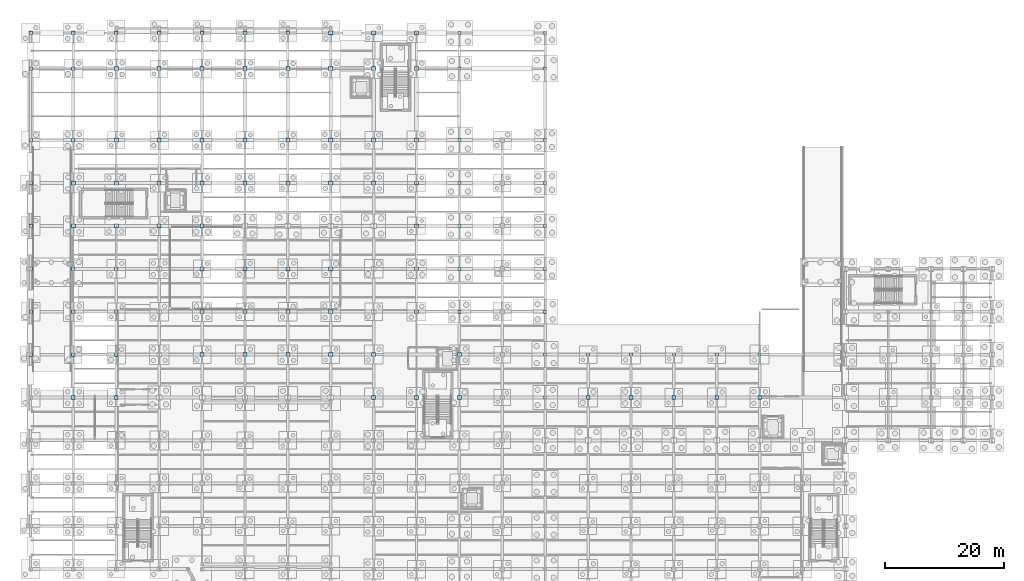
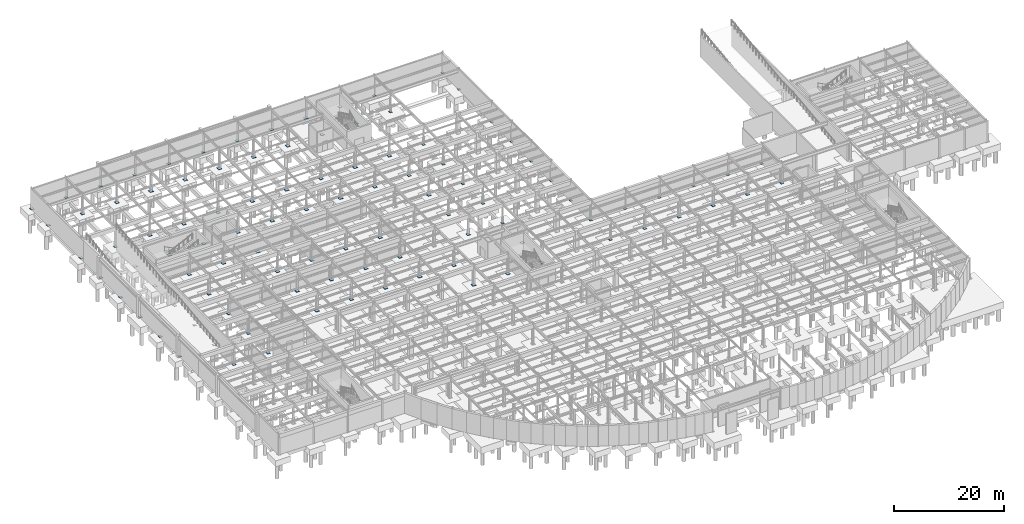
# One storey, part 43 of 64: 102 plates.
"""IFC4 building model written with IfcOpenShell, lengths in metres."""

import ifcopenshell
import ifcopenshell.guid

model = None  # the IFC model being written
_history = None  # IfcOwnerHistory: only IFC2X3 demands one
_inside = {}  # id of a spatial element -> (the spatial element, [elements in it])
_under = {}  # id of a project, library or spatial element -> (it, [spatial elements below it])
_declared = {}  # id of a project -> (the project, [libraries it declares])
_typed = {}  # id of a type object -> (the type object, [elements of that type])
_made_of = {}  # id of a material, layer set ... -> (it, [elements and type objects made of it])


def new_model(schema):
    """Start an empty IFC model of exactly this schema.

    Asked for "IFC4X3", IfcOpenShell would pick the latest addendum, in which some entities
    have other attributes; the version numbers below select the first issue.
    IFC2X3 requires an IfcOwnerHistory on every rooted entity: one is made here for all.
    """
    global model, _history
    if schema == "IFC4X3":
        model = ifcopenshell.file(schema_version=(4, 3, 0, 0))
    else:
        model = ifcopenshell.file(schema=schema)
    _inside.clear()
    _under.clear()
    _declared.clear()
    _typed.clear()
    _made_of.clear()
    _history = None
    if model.schema == "IFC2X3":
        org = make("IfcOrganization", Name="unknown")
        user = make(
            "IfcPersonAndOrganization",
            ThePerson=make("IfcPerson", FamilyName="unknown"),
            TheOrganization=org,
        )
        app = make(
            "IfcApplication",
            ApplicationDeveloper=org,
            Version="unknown",
            ApplicationFullName="unknown",
            ApplicationIdentifier="unknown",
        )
        _history = make(
            "IfcOwnerHistory",
            OwningUser=user,
            OwningApplication=app,
            ChangeAction="ADDED",
            CreationDate=0,
        )
    return model


def make(cls, **values):
    """One entity of the class cls with the attributes given. An attribute that is None is left unset."""
    return model.create_entity(
        cls, **{name: value for name, value in values.items() if value is not None}
    )


def rooted(cls, **values):
    """An entity with a GlobalId (a new one), such as an element, a storey or a relation."""
    return make(cls, GlobalId=ifcopenshell.guid.new(), OwnerHistory=_history, **values)


def si_unit(unit_type, name, prefix=None):
    """IfcSIUnit, for example si_unit("LENGTHUNIT", "METRE", prefix="MILLI")."""
    return make("IfcSIUnit", UnitType=unit_type, Prefix=prefix, Name=name)


def assignment(units):
    """IfcUnitAssignment: the units of a project."""
    return None if units is None else make("IfcUnitAssignment", Units=units)


def point(xyz):
    """IfcCartesianPoint."""
    return None if xyz is None else make("IfcCartesianPoint", Coordinates=xyz)


def direction(xyz):
    """IfcDirection."""
    return None if xyz is None else make("IfcDirection", DirectionRatios=xyz)


def frame(location, z_axis=None, x_axis=None):
    """IfcAxis2Placement3D, a coordinate frame: its origin and axes. An axis left out is left unset."""
    return make(
        "IfcAxis2Placement3D",
        Location=point(location),
        Axis=direction(z_axis),
        RefDirection=direction(x_axis),
    )


def frame_2d(location, x_axis=None):
    """IfcAxis2Placement2D, a coordinate frame in the plane: its origin and x axis."""
    return make(
        "IfcAxis2Placement2D", Location=point(location), RefDirection=direction(x_axis)
    )


def origin():
    """The frame at (0, 0, 0) with its axes left unset."""
    return frame((0.0, 0.0, 0.0))


def origin_2d():
    """The frame at (0, 0) in the plane with its x axis left unset."""
    return frame_2d((0.0, 0.0))


def place(relative_to, where):
    """IfcLocalPlacement: puts the frame where relative to a parent placement (None: the world)."""
    return make(
        "IfcLocalPlacement", PlacementRelTo=relative_to, RelativePlacement=where
    )


def context(
    kind, dimensions, precision=None, world=None, true_north=None, identifier=None
):
    """IfcGeometricRepresentationContext, for example the 3D "Model" context."""
    return make(
        "IfcGeometricRepresentationContext",
        ContextIdentifier=identifier,
        ContextType=kind,
        CoordinateSpaceDimension=dimensions,
        Precision=precision,
        WorldCoordinateSystem=world,
        TrueNorth=true_north,
    )


def subcontext(parent, identifier, kind, view, scale=None):
    """IfcGeometricRepresentationSubContext, for example "Body" below "Model"."""
    return make(
        "IfcGeometricRepresentationSubContext",
        ContextIdentifier=identifier,
        ContextType=kind,
        ParentContext=parent,
        TargetScale=scale,
        TargetView=view,
    )


def project(units=None, contexts=None):
    """IfcProject with its units and contexts."""
    return rooted(
        "IfcProject",
        Name="project",
        RepresentationContexts=contexts,
        UnitsInContext=assignment(units),
    )


def spatial(cls, under=None, at=None, **own):
    """A site, building, storey or space (cls), placed at a placement, below another one or the project."""
    s = rooted(cls, ObjectPlacement=at, **own)
    if under is not None:
        _under.setdefault(under.id(), (under, []))[1].append(s)
    return s


def profile(cls, at=None, kind="AREA", **sizes):
    """A parametric profile (cls). Its sizes go by their IFC names, for example OverallWidth=200.0."""
    return make(cls, ProfileType=kind, Position=at, **sizes)


def rectangle(**sizes):
    """IfcRectangleProfileDef."""
    return profile("IfcRectangleProfileDef", **sizes)


def extrude(swept, where, along, depth):
    """IfcExtrudedAreaSolid: the profile swept, set in the frame where, extruded along a direction by depth."""
    return make(
        "IfcExtrudedAreaSolid",
        SweptArea=swept,
        Position=where,
        ExtrudedDirection=direction(along),
        Depth=depth,
    )


def shape(context_of_items, identifier, shape_type, items):
    """IfcShapeRepresentation: the items that make up one representation, for example the "Body"."""
    return make(
        "IfcShapeRepresentation",
        ContextOfItems=context_of_items,
        RepresentationIdentifier=identifier,
        RepresentationType=shape_type,
        Items=items,
    )


def material(Name=None, Category=None):
    """IfcMaterial."""
    return make("IfcMaterial", Name=Name, Category=Category)


def layer(
    of_material, thickness, ventilated=None, Name=None, Category=None, Priority=None
):
    """IfcMaterialLayer: one layer of a wall or slab, of a material (None: an air gap)."""
    return make(
        "IfcMaterialLayer",
        Material=of_material,
        LayerThickness=thickness,
        IsVentilated=ventilated,
        Name=Name,
        Category=Category,
        Priority=Priority,
    )


def layer_set(layers, Name=None):
    """IfcMaterialLayerSet."""
    return make("IfcMaterialLayerSet", MaterialLayers=layers, LayerSetName=Name)


def made_of(thing, what):
    """Note that an element or type object is made of a material, layer set ...; save() writes the relation."""
    if what is not None:
        _made_of.setdefault(what.id(), (what, []))[1].append(thing)
    return thing


def type_object(cls, material=None, **own):
    """A type object (cls), such as IfcWallType, which elements share."""
    return made_of(rooted(cls, **own), material)


def element(
    cls,
    number,
    at=None,
    inside=None,
    cuts=None,
    type_object=None,
    material=None,
    context=None,
    identifier="Body",
    shape_type=None,
    held_by="IfcProductDefinitionShape",
    body=None,
    shapes=None,
    **own,
):
    """One element of the class cls, such as IfcWall. Its Tag is "e" and its number.

    at: its placement. inside: the storey or other place that contains it. cuts: it is an
    opening in that element (IfcRelVoidsElement). A single representation is given by context,
    identifier, shape_type and body (its items); several are given by shapes. held_by: the class
    of the entity that holds the representations. save() writes the other relations.
    """
    e = rooted(cls, Tag="e%d" % number, ObjectPlacement=at, **own)
    if body is not None:
        shapes = [shape(context, identifier, shape_type, body)]
    if shapes is not None:
        e.Representation = make(held_by, Representations=shapes)
    if inside is not None:
        _inside.setdefault(inside.id(), (inside, []))[1].append(e)
    if cuts is not None:
        rooted(
            "IfcRelVoidsElement", RelatingBuildingElement=cuts, RelatedOpeningElement=e
        )
    if type_object is not None:
        _typed.setdefault(type_object.id(), (type_object, []))[1].append(e)
    return made_of(e, material)


def aggregate(whole, parts):
    """IfcRelAggregates: a whole, such as a stair, and the parts it consists of."""
    return rooted("IfcRelAggregates", RelatingObject=whole, RelatedObjects=parts)


def save(model, path):
    """Write the relations noted so far, then the file.

    IfcRelAggregates (storeys below a building ...), IfcRelContainedInSpatialStructure (elements
    in a storey), IfcRelDefinesByType, IfcRelAssociatesMaterial and IfcRelDeclares: one each for
    every whole, place, type object, material and project.
    """
    for whole, parts in _under.values():
        aggregate(whole, parts)
    for where, things in _inside.values():
        rooted(
            "IfcRelContainedInSpatialStructure",
            RelatedElements=things,
            RelatingStructure=where,
        )
    for kind, things in _typed.values():
        rooted("IfcRelDefinesByType", RelatedObjects=things, RelatingType=kind)
    for what, things in _made_of.values():
        rooted("IfcRelAssociatesMaterial", RelatedObjects=things, RelatingMaterial=what)
    for by, libraries in _declared.values():
        rooted("IfcRelDeclares", RelatingContext=by, RelatedDefinitions=libraries)
    model.write(path)


model = new_model("IFC4")

# Units and contexts
model_context = context("Model", 3, precision=1e-05, world=origin(), true_north=direction((0.0, 1.0)))
body_context = subcontext(model_context, "Body", "Model", "MODEL_VIEW")
ifc_project = project(units=[si_unit("LENGTHUNIT", "METRE"), si_unit("AREAUNIT", "SQUARE_METRE"), si_unit("VOLUMEUNIT", "CUBIC_METRE"), si_unit("PLANEANGLEUNIT", "RADIAN"), si_unit("MASSUNIT", "GRAM", prefix="KILO")], contexts=[model_context])

# Site, building, storey
site_placement = place(None, origin())
site = spatial("IfcSite", under=ifc_project, at=site_placement, CompositionType="ELEMENT")
building_placement = place(site_placement, origin())
building = spatial("IfcBuilding", under=site, at=building_placement, Name="Solvadek Multi-Sports Hall", CompositionType="ELEMENT")
storey_placement = place(building_placement, frame((0.0, 0.0, -4.800048828125)))
storey = spatial("IfcBuildingStorey", under=building, at=storey_placement, Name="B1", CompositionType="ELEMENT", Elevation=-4.800048828125)

# Plates
ifc_material = material(Name="Steel E350 (350 MPa)", Category="steel")
ifc_layer_1 = layer(ifc_material, 0.02197265625, Name="Steel E350 (350 MPa)")
ifc_layer_set_1 = layer_set([ifc_layer_1], Name="Steel E350 (350 MPa)")
plate_type_1 = type_object("IfcPlateType", Name="STR-PLT-BAS520", PredefinedType="USERDEFINED", material=ifc_layer_set_1)
for number, where, z_axis, x_axis, name in (
    (1, (72.0, 63.60009765625, 0.0), (0.0, 0.0, 1.0), (1.0, 0.0, 0.0), "Column Base Plate #146"),
    (2, (72.0, 70.800048828125, 0.0), (0.0, 0.0, 1.0), (1.0, 0.0, 0.0), "Column Base Plate #148"),
    (3, (72.0, 78.0, 0.0), (0.0, 0.0, 1.0), (1.0, 0.0, 0.0), "Column Base Plate #150"),
    (4, (72.0, 85.199951171875, 0.0), (0.0, 0.0, 1.0), (1.0, 0.0, 0.0), "Column Base Plate #152"),
    (5, (72.0, 92.39990234375, 0.0), (0.0, 0.0, 1.0), (1.0, 0.0, 0.0), "Column Base Plate #154"),
    (6, (72.0, 104.39990234375, 0.0), (0.0, 0.0, 1.0), (1.0, 0.0, 0.0), "Column Base Plate #156"),
    (7, (72.0, 110.39990234375, 0.0), (0.0, 0.0, 1.0), (1.0, 0.0, 0.0), "Column Base Plate #158"),
    (8, (86.39990234375, 49.199951171875, 0.0), (0.0, 0.0, 1.0), (1.0, 0.0, 0.0), "Column Base Plate #173"),
    (9, (86.39990234375, 56.39990234375, 0.0), (0.0, 0.0, 1.0), (1.0, 0.0, 0.0), "Column Base Plate #175"),
    (10, (86.39990234375, 63.60009765625, 0.0), (0.0, 0.0, 1.0), (1.0, 0.0, 0.0), "Column Base Plate #177"),
    (11, (86.39990234375, 70.800048828125, 0.0), (0.0, 0.0, 1.0), (1.0, 0.0, 0.0), "Column Base Plate #179"),
    (12, (86.39990234375, 78.0, 0.0), (0.0, 0.0, 1.0), (1.0, 0.0, 0.0), "Column Base Plate #181"),
    (13, (86.39990234375, 85.199951171875, 0.0), (0.0, 0.0, 1.0), (1.0, 0.0, 0.0), "Column Base Plate #183"),
    (14, (86.39990234375, 92.39990234375, 0.0), (0.0, 0.0, 1.0), (1.0, 0.0, 0.0), "Column Base Plate #185"),
    (15, (86.39990234375, 104.39990234375, 0.0), (0.0, 0.0, 1.0), (1.0, 0.0, 0.0), "Column Base Plate #187"),
    (16, (86.39990234375, 110.39990234375, 0.0), (0.0, 0.0, 1.0), (1.0, 0.0, 0.0), "Column Base Plate #189"),
    (17, (93.60009765625, 56.39990234375, 0.0), (0.0, 0.0, 1.0), (1.0, 0.0, 0.0), "Column Base Plate #198"),
    (18, (100.800048828125, 56.39990234375, 0.0), (0.0, 0.0, 1.0), (1.0, 0.0, 0.0), "Column Base Plate #204"),
    (19, (108.0, 56.39990234375, 0.0), (0.0, 0.0, 1.0), (1.0, 0.0, 0.0), "Column Base Plate #210"),
    (20, (115.199951171875, 56.39990234375, 0.0), (0.0, 0.0, 1.0), (1.0, 0.0, 0.0), "Column Base Plate #216"),
    (21, (122.39990234375, 56.39990234375, 0.0), (0.0, 0.0, 1.0), (1.0, 0.0, 0.0), "Column Base Plate #222"),
):
    element("IfcPlate", number, at=place(storey_placement, frame(where, z_axis=z_axis, x_axis=x_axis)), inside=storey, type_object=plate_type_1, Name=name, ObjectType="BASE_PLATE", PredefinedType="USERDEFINED", context=body_context, shape_type="SweptSolid", body=[
        extrude(rectangle(XDim=0.52001953125, YDim=0.52001953125, at=origin_2d()), origin(), (0.0, 0.0, 1.0), 0.02197265625),
    ])
ifc_layer_2 = layer(ifc_material, 0.02490234375, Name="Steel E350 (350 MPa)")
ifc_layer_set_2 = layer_set([ifc_layer_2], Name="Steel E350 (350 MPa)")
plate_type_2 = type_object("IfcPlateType", Name="STR-PLT-BAS600", PredefinedType="USERDEFINED", material=ifc_layer_set_2)
for number, where, z_axis, x_axis, name in (
    (22, (0.0, 56.39990234375, 0.0), (0.0, 0.0, 1.0), (1.0, 0.0, 0.0), "Column Base Plate #6"),
    (23, (0.0, 63.60009765625, 0.0), (0.0, 0.0, 1.0), (1.0, 0.0, 0.0), "Column Base Plate #7"),
    (24, (0.0, 70.800048828125, 0.0), (0.0, 0.0, 1.0), (1.0, 0.0, 0.0), "Column Base Plate #8"),
    (25, (0.0, 78.0, 0.0), (0.0, 0.0, 1.0), (1.0, 0.0, 0.0), "Column Base Plate #9"),
    (26, (0.0, 85.199951171875, 0.0), (0.0, 0.0, 1.0), (1.0, 0.0, 0.0), "Column Base Plate #10"),
    (27, (0.0, 92.39990234375, 0.0), (0.0, 0.0, 1.0), (1.0, 0.0, 0.0), "Column Base Plate #11"),
    (28, (0.0, 104.39990234375, 0.0), (0.0, 0.0, 1.0), (1.0, 0.0, 0.0), "Column Base Plate #12"),
    (29, (0.0, 110.39990234375, 0.0), (0.0, 0.0, 1.0), (1.0, 0.0, 0.0), "Column Base Plate #13"),
    (30, (7.199951171875, 49.199951171875, 0.0), (0.0, 0.0, 1.0), (1.0, 0.0, 0.0), "Column Base Plate #18"),
    (31, (7.199951171875, 56.39990234375, 0.0), (0.0, 0.0, 1.0), (1.0, 0.0, 0.0), "Column Base Plate #19"),
    (32, (7.199951171875, 63.60009765625, 0.0), (0.0, 0.0, 1.0), (1.0, 0.0, 0.0), "Column Base Plate #20"),
    (33, (7.199951171875, 70.800048828125, 0.0), (0.0, 0.0, 1.0), (1.0, 0.0, 0.0), "Column Base Plate #21"),
    (34, (7.199951171875, 92.39990234375, 0.0), (0.0, 0.0, 1.0), (1.0, 0.0, 0.0), "Column Base Plate #24"),
    (35, (7.199951171875, 104.39990234375, 0.0), (0.0, 0.0, 1.0), (1.0, 0.0, 0.0), "Column Base Plate #25"),
    (36, (7.199951171875, 110.39990234375, 0.0), (0.0, 0.0, 1.0), (1.0, 0.0, 0.0), "Column Base Plate #26"),
    (37, (14.39990234375, 49.199951171875, 0.0), (0.0, 0.0, 1.0), (1.0, 0.0, 0.0), "Column Base Plate #31"),
    (38, (14.39990234375, 56.39990234375, 0.0), (0.0, 0.0, 1.0), (1.0, 0.0, 0.0), "Column Base Plate #32"),
    (39, (14.39990234375, 63.60009765625, 0.0), (0.0, 0.0, 1.0), (1.0, 0.0, 0.0), "Column Base Plate #33"),
    (40, (14.39990234375, 70.800048828125, 0.0), (0.0, 0.0, 1.0), (1.0, 0.0, 0.0), "Column Base Plate #34"),
    (41, (14.39990234375, 110.39990234375, 0.0), (0.0, 0.0, 1.0), (1.0, 0.0, 0.0), "Column Base Plate #39"),
    (42, (21.60009765625, 110.39990234375, 0.0), (0.0, 0.0, 1.0), (1.0, 0.0, 0.0), "Column Base Plate #52"),
    (43, (28.800048828125, 110.39990234375, 0.0), (0.0, 0.0, 1.0), (1.0, 0.0, 0.0), "Column Base Plate #62"),
    (44, (36.0, 110.39990234375, 0.0), (0.0, 0.0, 1.0), (1.0, 0.0, 0.0), "Column Base Plate #74"),
    (45, (43.199951171875, 110.39990234375, 0.0), (0.0, 0.0, 1.0), (1.0, 0.0, 0.0), "Column Base Plate #87"),
    (46, (64.800048828125, 63.60009765625, 0.0), (0.0, 0.0, 1.0), (1.0, 0.0, 0.0), "Column Base Plate #125"),
    (47, (64.800048828125, 70.800048828125, 0.0), (0.0, 0.0, 1.0), (1.0, 0.0, 0.0), "Column Base Plate #126"),
    (48, (64.800048828125, 78.0, 0.0), (0.0, 0.0, 1.0), (1.0, 0.0, 0.0), "Column Base Plate #127"),
    (49, (64.800048828125, 85.199951171875, 0.0), (0.0, 0.0, 1.0), (1.0, 0.0, 0.0), "Column Base Plate #128"),
    (50, (93.60009765625, 49.199951171875, 0.0), (0.0, 0.0, 1.0), (1.0, 0.0, 0.0), "Column Base Plate #197"),
    (51, (100.800048828125, 49.199951171875, 0.0), (0.0, 0.0, 1.0), (1.0, 0.0, 0.0), "Column Base Plate #203"),
    (52, (108.0, 49.199951171875, 0.0), (0.0, 0.0, 1.0), (1.0, 0.0, 0.0), "Column Base Plate #209"),
    (53, (115.199951171875, 49.199951171875, 0.0), (0.0, 0.0, 1.0), (1.0, 0.0, 0.0), "Column Base Plate #215"),
    (54, (122.39990234375, 49.199951171875, 0.0), (0.0, 0.0, 1.0), (1.0, 0.0, 0.0), "Column Base Plate #221"),
):
    element("IfcPlate", number, at=place(storey_placement, frame(where, z_axis=z_axis, x_axis=x_axis)), inside=storey, type_object=plate_type_2, Name=name, ObjectType="BASE_PLATE", PredefinedType="USERDEFINED", context=body_context, shape_type="SweptSolid", body=[
        extrude(rectangle(XDim=0.60009765625, YDim=0.60009765625, at=origin_2d()), origin(), (0.0, 0.0, 1.0), 0.02490234375),
    ])
ifc_layer_3 = layer(ifc_material, 0.02587890625, Name="Steel E350 (350 MPa)")
ifc_layer_set_3 = layer_set([ifc_layer_3], Name="Steel E350 (350 MPa)")
plate_type_3 = type_object("IfcPlateType", Name="STR-PLT-BAS680", PredefinedType="USERDEFINED", material=ifc_layer_set_3)
for number, where, z_axis, x_axis, name in (
    (55, (7.199951171875, 78.0, 0.0), (0.0, 0.0, 1.0), (1.0, 0.0, 0.0), "Column Base Plate #22"),
    (56, (7.199951171875, 85.199951171875, 0.0), (0.0, 0.0, 1.0), (1.0, 0.0, 0.0), "Column Base Plate #23"),
    (57, (14.39990234375, 78.0, 0.0), (0.0, 0.0, 1.0), (1.0, 0.0, 0.0), "Column Base Plate #35"),
    (58, (14.39990234375, 85.199951171875, 0.0), (0.0, 0.0, 1.0), (1.0, 0.0, 0.0), "Column Base Plate #36"),
    (59, (14.39990234375, 92.39990234375, 0.0), (0.0, 0.0, 1.0), (1.0, 0.0, 0.0), "Column Base Plate #37"),
    (60, (14.39990234375, 104.39990234375, 0.0), (0.0, 0.0, 1.0), (1.0, 0.0, 0.0), "Column Base Plate #38"),
    (61, (21.60009765625, 78.0, 0.0), (0.0, 0.0, 1.0), (1.0, 0.0, 0.0), "Column Base Plate #48"),
    (62, (21.60009765625, 85.199951171875, 0.0), (0.0, 0.0, 1.0), (1.0, 0.0, 0.0), "Column Base Plate #49"),
    (63, (21.60009765625, 92.39990234375, 0.0), (0.0, 0.0, 1.0), (1.0, 0.0, 0.0), "Column Base Plate #50"),
    (64, (21.60009765625, 104.39990234375, 0.0), (0.0, 0.0, 1.0), (1.0, 0.0, 0.0), "Column Base Plate #51"),
    (65, (28.800048828125, 56.39990234375, 0.0), (0.0, 0.0, 1.0), (1.0, 0.0, 0.0), "Column Base Plate #55"),
    (66, (28.800048828125, 63.60009765625, 0.0), (0.0, 0.0, 1.0), (1.0, 0.0, 0.0), "Column Base Plate #56"),
    (67, (28.800048828125, 70.800048828125, 0.0), (0.0, 0.0, 1.0), (1.0, 0.0, 0.0), "Column Base Plate #57"),
    (68, (28.800048828125, 78.0, 0.0), (0.0, 0.0, 1.0), (1.0, 0.0, 0.0), "Column Base Plate #58"),
    (69, (28.800048828125, 85.199951171875, 0.0), (0.0, 0.0, 1.0), (1.0, 0.0, 0.0), "Column Base Plate #59"),
    (70, (28.800048828125, 92.39990234375, 0.0), (0.0, 0.0, 1.0), (1.0, 0.0, 0.0), "Column Base Plate #60"),
    (71, (28.800048828125, 104.39990234375, 0.0), (0.0, 0.0, 1.0), (1.0, 0.0, 0.0), "Column Base Plate #61"),
    (72, (36.0, 56.39990234375, 0.0), (0.0, 0.0, 1.0), (1.0, 0.0, 0.0), "Column Base Plate #67"),
    (73, (36.0, 63.60009765625, 0.0), (0.0, 0.0, 1.0), (1.0, 0.0, 0.0), "Column Base Plate #68"),
    (74, (36.0, 70.800048828125, 0.0), (0.0, 0.0, 1.0), (1.0, 0.0, 0.0), "Column Base Plate #69"),
    (75, (36.0, 85.199951171875, 0.0), (0.0, 0.0, 1.0), (1.0, 0.0, 0.0), "Column Base Plate #71"),
    (76, (36.0, 92.39990234375, 0.0), (0.0, 0.0, 1.0), (1.0, 0.0, 0.0), "Column Base Plate #72"),
    (77, (36.0, 104.39990234375, 0.0), (0.0, 0.0, 1.0), (1.0, 0.0, 0.0), "Column Base Plate #73"),
    (78, (43.199951171875, 56.39990234375, 0.0), (0.0, 0.0, 1.0), (1.0, 0.0, 0.0), "Column Base Plate #80"),
    (79, (43.199951171875, 63.60009765625, 0.0), (0.0, 0.0, 1.0), (1.0, 0.0, 0.0), "Column Base Plate #81"),
    (80, (43.199951171875, 70.800048828125, 0.0), (0.0, 0.0, 1.0), (1.0, 0.0, 0.0), "Column Base Plate #82"),
    (81, (43.199951171875, 85.199951171875, 0.0), (0.0, 0.0, 1.0), (1.0, 0.0, 0.0), "Column Base Plate #84"),
    (82, (43.199951171875, 92.39990234375, 0.0), (0.0, 0.0, 1.0), (1.0, 0.0, 0.0), "Column Base Plate #85"),
    (83, (43.199951171875, 104.39990234375, 0.0), (0.0, 0.0, 1.0), (1.0, 0.0, 0.0), "Column Base Plate #86"),
    (84, (50.39990234375, 56.39990234375, 0.0), (0.0, 0.0, 1.0), (1.0, 0.0, 0.0), "Column Base Plate #93"),
    (85, (50.39990234375, 63.60009765625, 0.0), (0.0, 0.0, 1.0), (1.0, 0.0, 0.0), "Column Base Plate #94"),
    (86, (50.39990234375, 70.800048828125, 0.0), (0.0, 0.0, 1.0), (1.0, 0.0, 0.0), "Column Base Plate #95"),
    (87, (50.39990234375, 85.199951171875, 0.0), (0.0, 0.0, 1.0), (1.0, 0.0, 0.0), "Column Base Plate #97"),
    (88, (50.39990234375, 92.39990234375, 0.0), (0.0, 0.0, 1.0), (1.0, 0.0, 0.0), "Column Base Plate #98"),
    (89, (50.39990234375, 104.39990234375, 0.0), (0.0, 0.0, 1.0), (1.0, 0.0, 0.0), "Column Base Plate #99"),
    (90, (50.39990234375, 110.39990234375, 0.0), (0.0, 0.0, 1.0), (1.0, 0.0, 0.0), "Column Base Plate #100"),
    (91, (57.60009765625, 49.199951171875, 0.0), (0.0, 0.0, 1.0), (1.0, 0.0, 0.0), "Column Base Plate #108"),
    (92, (57.60009765625, 56.39990234375, 0.0), (0.0, 0.0, 1.0), (1.0, 0.0, 0.0), "Column Base Plate #109"),
    (93, (57.60009765625, 85.199951171875, 0.0), (0.0, 0.0, 1.0), (1.0, 0.0, 0.0), "Column Base Plate #113"),
    (94, (57.60009765625, 92.39990234375, 0.0), (0.0, 0.0, 1.0), (1.0, 0.0, 0.0), "Column Base Plate #114"),
    (95, (57.60009765625, 104.39990234375, 0.0), (0.0, 0.0, 1.0), (1.0, 0.0, 0.0), "Column Base Plate #115"),
    (96, (57.60009765625, 110.39990234375, 0.0), (0.0, 0.0, 1.0), (1.0, 0.0, 0.0), "Column Base Plate #116"),
    (97, (64.800048828125, 49.199951171875, 0.0), (0.0, 0.0, 1.0), (1.0, 0.0, 0.0), "Column Base Plate #124"),
    (98, (64.800048828125, 92.39990234375, 0.0), (0.0, 0.0, 1.0), (1.0, 0.0, 0.0), "Column Base Plate #129"),
    (99, (64.800048828125, 104.39990234375, 0.0), (0.0, 0.0, 1.0), (1.0, 0.0, 0.0), "Column Base Plate #130"),
    (100, (64.800048828125, 110.39990234375, 0.0), (0.0, 0.0, 1.0), (1.0, 0.0, 0.0), "Column Base Plate #131"),
    (101, (72.0, 49.199951171875, 0.0), (0.0, 0.0, 1.0), (1.0, 0.0, 0.0), "Column Base Plate #144"),
    (102, (72.0, 56.39990234375, 0.0), (0.0, 0.0, 1.0), (1.0, 0.0, 0.0), "Column Base Plate #145"),
):
    element("IfcPlate", number, at=place(storey_placement, frame(where, z_axis=z_axis, x_axis=x_axis)), inside=storey, type_object=plate_type_3, Name=name, ObjectType="BASE_PLATE", PredefinedType="USERDEFINED", context=body_context, shape_type="SweptSolid", body=[
        extrude(rectangle(XDim=0.679931640625, YDim=0.679931640625, at=origin_2d()), origin(), (0.0, 0.0, 1.0), 0.02587890625),
    ])

save(model, "model.ifc")
